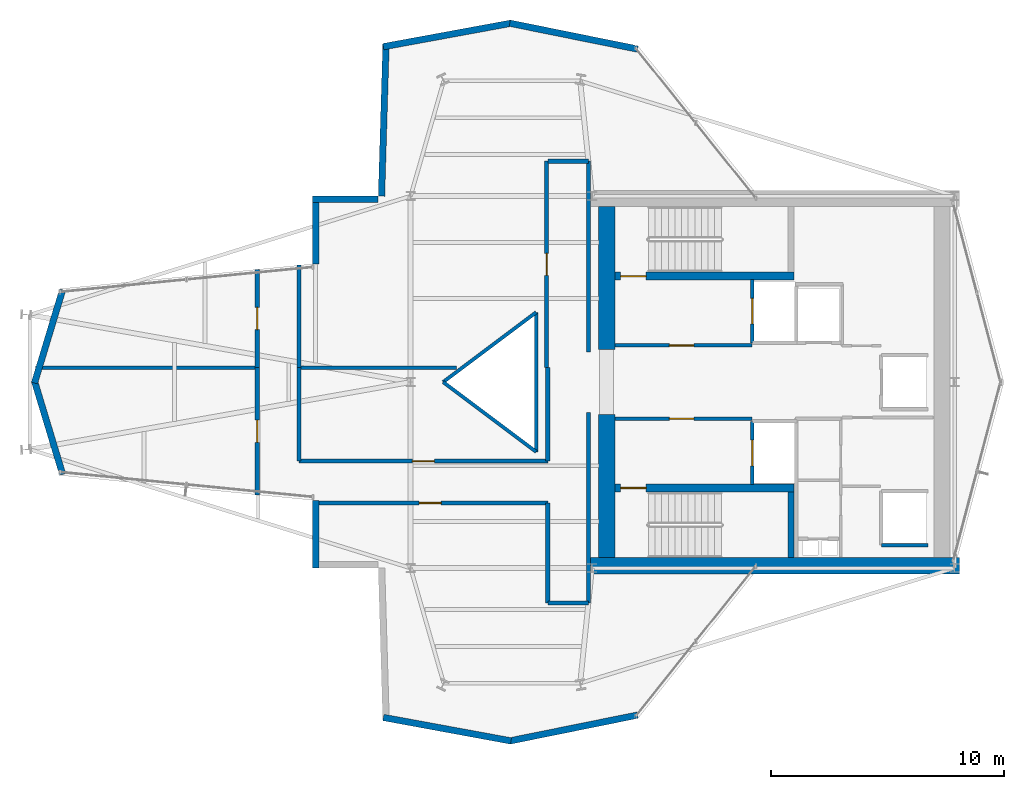
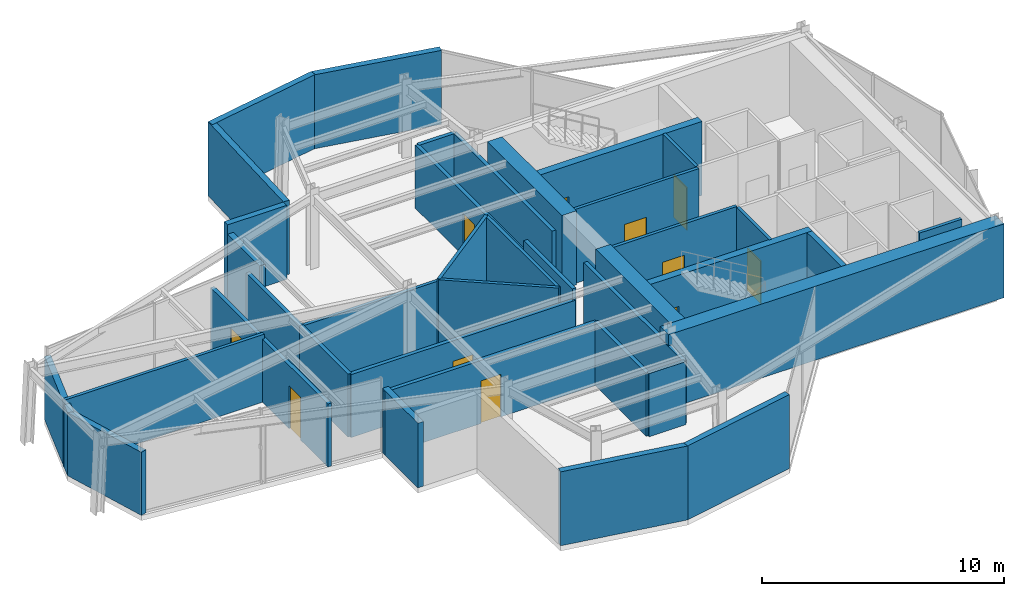
# One storey, part 21 of 23: 39 walls, 11 doors, 11 openings.
"""IFC4 building model written with IfcOpenShell, lengths in metres."""

from ifc_helpers import new_model, si_unit, direction, frame, frame_2d, origin, place, context, subcontext, project, spatial, rectangle, extrude, material, layer, layer_set, type_object, element, fill, save


model = new_model("IFC4")

# Units and contexts
model_context = context("Model", 3, precision=1e-05, world=origin(), true_north=direction((0.0, 1.0)))
body_context = subcontext(model_context, "Body", "Model", "MODEL_VIEW")
ifc_project = project(units=[si_unit("LENGTHUNIT", "METRE"), si_unit("AREAUNIT", "SQUARE_METRE"), si_unit("VOLUMEUNIT", "CUBIC_METRE"), si_unit("PLANEANGLEUNIT", "RADIAN"), si_unit("MASSUNIT", "GRAM", prefix="KILO")], contexts=[model_context])

# Site, building, storey
site_placement = place(None, origin())
site = spatial("IfcSite", under=ifc_project, at=site_placement, CompositionType="ELEMENT")
building_placement = place(site_placement, origin())
building = spatial("IfcBuilding", under=site, at=building_placement, Name="Veymaron Broadcast Tower", CompositionType="ELEMENT")
storey_placement = place(building_placement, frame((0.0, 0.0, 252.60009765625)))
storey = spatial("IfcBuildingStorey", under=building, at=storey_placement, Name="L59", CompositionType="ELEMENT", Elevation=252.60009765625)

# Walls
ifc_material_1 = material(Name="Precast concrete C40/50", Category="concrete")
ifc_layer_1 = layer(ifc_material_1, 0.280029296875)
ifc_layer_set_1 = layer_set([ifc_layer_1], Name="Precast concrete C40/50")
wall_type_1 = type_object("IfcWallType", Name="WALL-EXT-280", PredefinedType="STANDARD", material=ifc_layer_set_1)
wall_1_placement = place(storey_placement, frame((40.956298828125, 38.32470703125, 0.0), z_axis=(0.0, 0.0, 1.0), x_axis=(-0.980137399087, 0.198319638238, 0.0)))
element("IfcWall", 1, at=wall_1_placement, inside=storey, type_object=wall_type_1, Name="L59 notched corner facade pier 6-1", PredefinedType="STANDARD", context=body_context, shape_type="SweptSolid", body=[
    extrude(rectangle(XDim=5.6025390625, YDim=0.280029296875, at=frame_2d((2.80126953125, 0.0))), origin(), (0.0, 0.0, 1.0), 3.72998046875),
])
wall_2_placement = place(storey_placement, frame((35.518310546875, 39.435302734375, 0.0), z_axis=(0.0, 0.0, 1.0), x_axis=(-0.983500515457, -0.180905323571, 0.0)))
element("IfcWall", 2, at=wall_2_placement, inside=storey, type_object=wall_type_1, Name="L59 notched corner facade pier 7-1", PredefinedType="STANDARD", context=body_context, shape_type="SweptSolid", body=[
    extrude(rectangle(XDim=5.5830078125, YDim=0.280029296875, at=frame_2d((2.79150390625, 0.0))), origin(), (0.0, 0.0, 1.0), 3.72998046875),
])
wall_3_placement = place(storey_placement, frame((30.141845703125, 38.558837890625, 0.0), z_axis=(0.0, 0.0, 1.0), x_axis=(-0.029597919089, -0.999561885621, 0.0)))
element("IfcWall", 3, at=wall_3_placement, inside=storey, type_object=wall_type_1, Name="L59 notched corner facade pier 8-1", PredefinedType="STANDARD", context=body_context, shape_type="SweptSolid", body=[
    extrude(rectangle(XDim=6.56591796875, YDim=0.280029296875, at=frame_2d((3.282958984375, 0.0))), origin(), (0.0, 0.0, 1.0), 3.72998046875),
])
wall_4_placement = place(storey_placement, frame((29.8076171875, 31.860107421875, 0.0), z_axis=(0.0, 0.0, 1.0), x_axis=(-1.0, 0.0, 0.0)))
element("IfcWall", 4, at=wall_4_placement, inside=storey, type_object=wall_type_1, Name="L59 notched corner facade pier 9-1", PredefinedType="STANDARD", context=body_context, shape_type="SweptSolid", body=[
    extrude(rectangle(XDim=2.82373046875, YDim=0.280029296875, at=frame_2d((1.411865234375, 0.0))), origin(), (0.0, 0.0, 1.0), 3.72998046875),
])
wall_5_placement = place(storey_placement, frame((27.1240234375, 32.0, 0.0), z_axis=(0.0, 0.0, 1.0), x_axis=(0.0, -1.0, 0.0)))
element("IfcWall", 5, at=wall_5_placement, inside=storey, type_object=wall_type_1, Name="L59 notched corner facade pier 10-1", PredefinedType="STANDARD", context=body_context, shape_type="SweptSolid", body=[
    extrude(rectangle(XDim=2.9169921875, YDim=0.280029296875, at=frame_2d((1.45849609375, 0.0))), origin(), (0.0, 0.0, 1.0), 3.2587890625),
])
for number, where, z_axis, x_axis, name in (
    (6, (16.23388671875, 27.97216796875, 0.0), (0.0, 0.0, 1.0), (-0.28912141911, -0.957292434427, 0.0), "L59 notched corner facade pier 12-1"),
    (7, (15.02197265625, 24.04052734375, 0.0), (0.0, 0.0, 1.0), (0.28912141911, -0.957292434427, 0.0), "L59 notched corner facade pier 13-1"),
):
    element("IfcWall", number, at=place(storey_placement, frame(where, z_axis=z_axis, x_axis=x_axis)), inside=storey, type_object=wall_type_1, Name=name, PredefinedType="STANDARD", context=body_context, shape_type="SweptSolid", body=[
        extrude(rectangle(XDim=4.191650390625, YDim=0.280029296875, at=frame_2d((2.095703125, 0.0))), origin(), (0.0, 0.0, 1.0), 3.180908203125),
    ])
wall_6_placement = place(storey_placement, frame((27.1240234375, 18.9169921875, 0.0), z_axis=(0.0, 0.0, 1.0), x_axis=(0.0, -1.0, 0.0)))
element("IfcWall", 8, at=wall_6_placement, inside=storey, type_object=wall_type_1, Name="L59 notched corner facade pier 15-1", PredefinedType="STANDARD", context=body_context, shape_type="SweptSolid", body=[
    extrude(rectangle(XDim=2.9169921875, YDim=0.280029296875, at=frame_2d((1.45849609375, 0.0))), origin(), (0.0, 0.0, 1.0), 3.2587890625),
])
wall_7_placement = place(storey_placement, frame((30.02734375, 9.57470703125, 0.0), z_axis=(0.0, 0.0, 1.0), x_axis=(0.983500515457, -0.180905323571, 0.0)))
element("IfcWall", 9, at=wall_7_placement, inside=storey, type_object=wall_type_1, Name="L59 notched corner facade pier 18-1", PredefinedType="STANDARD", context=body_context, shape_type="SweptSolid", body=[
    extrude(rectangle(XDim=5.5830078125, YDim=0.280029296875, at=frame_2d((2.79150390625, 0.0))), origin(), (0.0, 0.0, 1.0), 3.72998046875),
])
wall_8_placement = place(storey_placement, frame((35.465087890625, 8.564208984375, 0.0), z_axis=(0.0, 0.0, 1.0), x_axis=(0.980137399087, 0.198319638238, 0.0)))
element("IfcWall", 10, at=wall_8_placement, inside=storey, type_object=wall_type_1, Name="L59 notched corner facade pier 19-1", PredefinedType="STANDARD", context=body_context, shape_type="SweptSolid", body=[
    extrude(rectangle(XDim=5.6025390625, YDim=0.280029296875, at=frame_2d((2.80126953125, 0.0))), origin(), (0.0, 0.0, 1.0), 3.72998046875),
])

# Wall, opening, door
ifc_material_2 = material(Name="Gypsum fireboard and steel stud framing", Category="steel")
ifc_layer_2 = layer(ifc_material_2, 0.14990234375)
ifc_layer_set_2 = layer_set([ifc_layer_2], Name="Gypsum fireboard and steel stud framing")
wall_type_2 = type_object("IfcWallType", Name="WALL-FIRE-150", PredefinedType="PARTITIONING", material=ifc_layer_set_2)
wall_9_placement = place(storey_placement, frame((39.97998046875, 25.574951171875, 0.0), z_axis=(0.0, 0.0, 1.0), x_axis=(1.0, 0.0, 0.0)))
wall_9 = element("IfcWall", 11, at=wall_9_placement, inside=storey, type_object=wall_type_2, Name="L59 partition IW-L59-FFLN-S", PredefinedType="PARTITIONING", context=body_context, shape_type="SweptSolid", body=[
    extrude(rectangle(XDim=5.89990234375, YDim=0.14990234375, at=frame_2d((2.949951171875, 0.0))), origin(), (0.0, 0.0, 1.0), 3.72998046875),
])
opening_1_placement = place(wall_9_placement, frame((2.35009765625, 0.0, 0.0)))
opening_1 = element("IfcOpeningElement", 12, at=opening_1_placement, cuts=wall_9, Name="Opening ID-FL1", PredefinedType="OPENING", context=body_context, shape_type="SweptSolid", body=[
    extrude(rectangle(XDim=1.050048828125, YDim=2.14990234375, at=frame_2d((0.52490234375, 1.074951171875))), frame((0.0, 0.0849609375, 0.0), z_axis=(0.0, -1.0, 0.0), x_axis=(1.0, 0.0, 0.0)), (0.0, 0.0, 1.0), 0.169921875),
])
ifc_material_3 = material(Name="Fire-rated painted hollow steel ASTM A653", Category="steel")
door_type_1 = type_object("IfcDoorType", Name="DOOR-FIRE-1050", OperationType="NOTDEFINED", PredefinedType="DOOR", material=ifc_material_3)
door_1_placement = place(opening_1_placement, origin())
door_1 = element("IfcDoor", 13, at=door_1_placement, inside=storey, type_object=door_type_1, Name="L59 door DR-L59-FFLN", OperationType="SINGLE_SWING_LEFT", OverallHeight=2.14990234375, OverallWidth=1.050048828125, PredefinedType="DOOR", context=body_context, shape_type="SweptSolid", body=[
    extrude(rectangle(XDim=1.050048828125, YDim=2.14990234375, at=frame_2d((0.52490234375, 1.074951171875))), frame((0.0, 0.02490234375, 0.0), z_axis=(0.0, -1.0, 0.0), x_axis=(1.0, 0.0, 0.0)), (0.0, 0.0, 1.0), 0.050048828125),
])
fill(opening_1, door_1)

wall_10_placement = place(storey_placement, frame((39.97998046875, 22.425048828125, 0.0), z_axis=(0.0, 0.0, 1.0), x_axis=(1.0, 0.0, 0.0)))
wall_10 = element("IfcWall", 14, at=wall_10_placement, inside=storey, type_object=wall_type_2, Name="L59 partition IW-L59-FFLS-N", PredefinedType="PARTITIONING", context=body_context, shape_type="SweptSolid", body=[
    extrude(rectangle(XDim=5.89990234375, YDim=0.14990234375, at=frame_2d((2.949951171875, 0.0))), origin(), (0.0, 0.0, 1.0), 3.72998046875),
])
opening_2_placement = place(wall_10_placement, frame((2.35009765625, 0.0, 0.0)))
opening_2 = element("IfcOpeningElement", 15, at=opening_2_placement, cuts=wall_10, Name="Opening ID-FL1", PredefinedType="OPENING", context=body_context, shape_type="SweptSolid", body=[
    extrude(rectangle(XDim=1.050048828125, YDim=2.14990234375, at=frame_2d((0.52490234375, 1.074951171875))), frame((0.0, 0.0849609375, 0.0), z_axis=(0.0, -1.0, 0.0), x_axis=(1.0, 0.0, 0.0)), (0.0, 0.0, 1.0), 0.169921875),
])
door_2_placement = place(opening_2_placement, frame((1.050048828125, 0.0, 0.0), z_axis=(0.0, 0.0, 1.0), x_axis=(-1.0, 0.0, 0.0)))
door_2 = element("IfcDoor", 16, at=door_2_placement, inside=storey, type_object=door_type_1, Name="L59 door DR-L59-FFLS", OperationType="SINGLE_SWING_RIGHT", OverallHeight=2.14990234375, OverallWidth=1.050048828125, PredefinedType="DOOR", context=body_context, shape_type="SweptSolid", body=[
    extrude(rectangle(XDim=1.050048828125, YDim=2.14990234375, at=frame_2d((0.52490234375, 1.074951171875))), frame((0.0, 0.02490234375, 0.0), z_axis=(0.0, -1.0, 0.0), x_axis=(1.0, 0.0, 0.0)), (0.0, 0.0, 1.0), 0.050048828125),
])
fill(opening_2, door_2)

wall_11_placement = place(storey_placement, frame((45.89501953125, 25.68994140625, 0.0), z_axis=(0.0, 0.0, 1.0), x_axis=(0.0, 1.0, 0.0)))
wall_11 = element("IfcWall", 17, at=wall_11_placement, inside=storey, type_object=wall_type_2, Name="L59 partition IW-L59-SHW-FFL-1", PredefinedType="PARTITIONING", context=body_context, shape_type="SweptSolid", body=[
    extrude(rectangle(XDim=2.719970703125, YDim=0.14990234375, at=frame_2d((1.35986328125, 0.0))), origin(), (0.0, 0.0, 1.0), 3.72998046875),
])
opening_3_placement = place(wall_11_placement, frame((0.81005859375, 0.0, 0.0)))
opening_3 = element("IfcOpeningElement", 18, at=opening_3_placement, cuts=wall_11, Name="Opening LD", PredefinedType="OPENING", context=body_context, shape_type="SweptSolid", body=[
    extrude(rectangle(XDim=1.10009765625, YDim=2.14990234375, at=frame_2d((0.550048828125, 1.074951171875))), frame((0.0, 0.0849609375, 0.0), z_axis=(0.0, -1.0, 0.0), x_axis=(1.0, 0.0, 0.0)), (0.0, 0.0, 1.0), 0.169921875),
])
ifc_material_4 = material(Name="Brushed stainless steel AISI 304", Category="steel")
door_type_2 = type_object("IfcDoorType", Name="DOOR-LIFT-1100", OperationType="DOUBLE_DOOR_SLIDING", PredefinedType="DOOR", material=ifc_material_4)
door_3_placement = place(opening_3_placement, frame((1.10009765625, 0.0, 0.0), z_axis=(0.0, 0.0, 1.0), x_axis=(-1.0, 0.0, 0.0)))
door_3 = element("IfcDoor", 19, at=door_3_placement, inside=storey, type_object=door_type_2, Name="L59 door LD-L59-FFL-1", OperationType="DOUBLE_DOOR_SLIDING", OverallHeight=2.14990234375, OverallWidth=1.10009765625, PredefinedType="DOOR", context=body_context, shape_type="SweptSolid", body=[
    extrude(rectangle(XDim=1.10009765625, YDim=2.14990234375, at=frame_2d((0.550048828125, 1.074951171875))), frame((0.0, 0.02490234375, 0.0), z_axis=(0.0, -1.0, 0.0), x_axis=(1.0, 0.0, 0.0)), (0.0, 0.0, 1.0), 0.050048828125),
])
fill(opening_3, door_3)

wall_12_placement = place(storey_placement, frame((45.89501953125, 19.590087890625, 0.0), z_axis=(0.0, 0.0, 1.0), x_axis=(0.0, 1.0, 0.0)))
wall_12 = element("IfcWall", 20, at=wall_12_placement, inside=storey, type_object=wall_type_2, Name="L59 partition IW-L59-SHW-FFL-2", PredefinedType="PARTITIONING", context=body_context, shape_type="SweptSolid", body=[
    extrude(rectangle(XDim=2.719970703125, YDim=0.14990234375, at=frame_2d((1.35986328125, 0.0))), origin(), (0.0, 0.0, 1.0), 3.72998046875),
])
opening_4_placement = place(wall_12_placement, frame((0.81005859375, 0.0, 0.0)))
opening_4 = element("IfcOpeningElement", 21, at=opening_4_placement, cuts=wall_12, Name="Opening LD", PredefinedType="OPENING", context=body_context, shape_type="SweptSolid", body=[
    extrude(rectangle(XDim=1.10009765625, YDim=2.14990234375, at=frame_2d((0.550048828125, 1.074951171875))), frame((0.0, 0.0849609375, 0.0), z_axis=(0.0, -1.0, 0.0), x_axis=(1.0, 0.0, 0.0)), (0.0, 0.0, 1.0), 0.169921875),
])
door_4_placement = place(opening_4_placement, frame((1.10009765625, 0.0, 0.0), z_axis=(0.0, 0.0, 1.0), x_axis=(-1.0, 0.0, 0.0)))
door_4 = element("IfcDoor", 22, at=door_4_placement, inside=storey, type_object=door_type_2, Name="L59 door LD-L59-FFL-2", OperationType="DOUBLE_DOOR_SLIDING", OverallHeight=2.14990234375, OverallWidth=1.10009765625, PredefinedType="DOOR", context=body_context, shape_type="SweptSolid", body=[
    extrude(rectangle(XDim=1.10009765625, YDim=2.14990234375, at=frame_2d((0.550048828125, 1.074951171875))), frame((0.0, 0.02490234375, 0.0), z_axis=(0.0, -1.0, 0.0), x_axis=(1.0, 0.0, 0.0)), (0.0, 0.0, 1.0), 0.050048828125),
])
fill(opening_4, door_4)

# Wall
wall_13_placement = place(storey_placement, frame((51.445068359375, 16.989990234375, 0.0), z_axis=(0.0, 0.0, 1.0), x_axis=(1.0, 0.0, 0.0)))
element("IfcWall", 23, at=wall_13_placement, inside=storey, type_object=wall_type_2, Name="L59 partition IW-L59-SHS-PH1", PredefinedType="PARTITIONING", context=body_context, shape_type="SweptSolid", body=[
    extrude(rectangle(XDim=2.014892578125, YDim=0.14990234375, at=frame_2d((1.00732421875, 0.0))), origin(), (0.0, 0.0, 1.0), 3.72998046875),
])

# Wall, opening, door
ifc_material_5 = material(Name="Concrete C40/50", Category="concrete")
ifc_layer_3 = layer(ifc_material_5, 0.179931640625)
ifc_layer_set_3 = layer_set([ifc_layer_3], Name="Concrete C40/50")
wall_type_3 = type_object("IfcWallType", Name="WALL-FIRE-180", PredefinedType="SOLIDWALL", material=ifc_layer_set_3)
wall_14_placement = place(storey_placement, frame((26.98388671875, 18.800048828125, 0.0), z_axis=(0.0, 0.0, 1.0), x_axis=(1.0, 0.0, 0.0)))
wall_14 = element("IfcWall", 24, at=wall_14_placement, inside=storey, type_object=wall_type_3, Name="L59 partition IW-L59-P01", PredefinedType="SOLIDWALL", context=body_context, shape_type="SweptSolid", body=[
    extrude(rectangle(XDim=10.1162109375, YDim=0.179931640625, at=frame_2d((5.05810546875, 0.0))), origin(), (0.0, 0.0, 1.0), 3.180908203125),
])
opening_5_placement = place(wall_14_placement, frame((4.5830078125, 0.0, 0.0)))
opening_5 = element("IfcOpeningElement", 25, at=opening_5_placement, cuts=wall_14, Name="Opening ID-RM1", PredefinedType="OPENING", context=body_context, shape_type="SweptSolid", body=[
    extrude(rectangle(XDim=0.949951171875, YDim=2.14990234375, at=frame_2d((0.47509765625, 1.074951171875))), frame((0.0, 0.10009765625, 0.0), z_axis=(0.0, -1.0, 0.0), x_axis=(1.0, 0.0, 0.0)), (0.0, 0.0, 1.0), 0.199951171875),
])
ifc_material_6 = material(Name="Acoustic solid-core European oak veneer timber", Category="wood")
door_type_3 = type_object("IfcDoorType", Name="DOOR-INT-950", OperationType="NOTDEFINED", PredefinedType="DOOR", material=ifc_material_6)
door_5_placement = place(opening_5_placement, frame((0.949951171875, 0.0, 0.0), z_axis=(0.0, 0.0, 1.0), x_axis=(-1.0, 0.0, 0.0)))
door_5 = element("IfcDoor", 26, at=door_5_placement, inside=storey, type_object=door_type_3, Name="L59 door DR-L59-P01", OperationType="SINGLE_SWING_RIGHT", OverallHeight=2.14990234375, OverallWidth=0.949951171875, PredefinedType="DOOR", context=body_context, shape_type="SweptSolid", body=[
    extrude(rectangle(XDim=0.949951171875, YDim=2.14990234375, at=frame_2d((0.47509765625, 1.074951171875))), frame((0.0, 0.02490234375, 0.0), z_axis=(0.0, -1.0, 0.0), x_axis=(1.0, 0.0, 0.0)), (0.0, 0.0, 1.0), 0.050048828125),
])
fill(opening_5, door_5)

wall_15_placement = place(storey_placement, frame((24.60009765625, 19.1513671875, 0.0), z_axis=(0.0, 0.0, 1.0), x_axis=(0.0, 1.0, 0.0)))
wall_15 = element("IfcWall", 27, at=wall_15_placement, inside=storey, type_object=wall_type_3, Name="L59 partition IW-L59-P05", PredefinedType="SOLIDWALL", context=body_context, shape_type="SweptSolid", body=[
    extrude(rectangle(XDim=5.4716796875, YDim=0.179931640625, at=frame_2d((2.73583984375, 0.0))), origin(), (0.0, 0.0, 1.0), 3.180908203125),
])
opening_6_placement = place(wall_15_placement, frame((2.2607421875, 0.0, 0.0)))
opening_6 = element("IfcOpeningElement", 28, at=opening_6_placement, cuts=wall_15, Name="Opening ID-RM1", PredefinedType="OPENING", context=body_context, shape_type="SweptSolid", body=[
    extrude(rectangle(XDim=0.949951171875, YDim=2.14990234375, at=frame_2d((0.47509765625, 1.074951171875))), frame((0.0, 0.10009765625, 0.0), z_axis=(0.0, -1.0, 0.0), x_axis=(1.0, 0.0, 0.0)), (0.0, 0.0, 1.0), 0.199951171875),
])
door_6_placement = place(opening_6_placement, origin())
door_6 = element("IfcDoor", 29, at=door_6_placement, inside=storey, type_object=door_type_3, Name="L59 door DR-L59-P05", OperationType="SINGLE_SWING_RIGHT", OverallHeight=2.14990234375, OverallWidth=0.949951171875, PredefinedType="DOOR", context=body_context, shape_type="SweptSolid", body=[
    extrude(rectangle(XDim=0.949951171875, YDim=2.14990234375, at=frame_2d((0.47509765625, 1.074951171875))), frame((0.0, 0.02490234375, 0.0), z_axis=(0.0, -1.0, 0.0), x_axis=(1.0, 0.0, 0.0)), (0.0, 0.0, 1.0), 0.050048828125),
])
fill(opening_6, door_6)

wall_16_placement = place(storey_placement, frame((26.39990234375, 20.60009765625, 0.0), z_axis=(0.0, 0.0, 1.0), x_axis=(1.0, 0.0, 0.0)))
wall_16 = element("IfcWall", 30, at=wall_16_placement, inside=storey, type_object=wall_type_3, Name="L59 partition IW-L59-P06", PredefinedType="SOLIDWALL", context=body_context, shape_type="SweptSolid", body=[
    extrude(rectangle(XDim=10.7001953125, YDim=0.179931640625, at=frame_2d((5.35009765625, 0.0))), origin(), (0.0, 0.0, 1.0), 3.180908203125),
])
opening_7_placement = place(wall_16_placement, frame((4.875, 0.0, 0.0)))
opening_7 = element("IfcOpeningElement", 31, at=opening_7_placement, cuts=wall_16, Name="Opening ID-RM1", PredefinedType="OPENING", context=body_context, shape_type="SweptSolid", body=[
    extrude(rectangle(XDim=0.949951171875, YDim=2.14990234375, at=frame_2d((0.47509765625, 1.074951171875))), frame((0.0, 0.10009765625, 0.0), z_axis=(0.0, -1.0, 0.0), x_axis=(1.0, 0.0, 0.0)), (0.0, 0.0, 1.0), 0.199951171875),
])
door_7_placement = place(opening_7_placement, origin())
door_7 = element("IfcDoor", 32, at=door_7_placement, inside=storey, type_object=door_type_3, Name="L59 door DR-L59-P06", OperationType="SINGLE_SWING_LEFT", OverallHeight=2.14990234375, OverallWidth=0.949951171875, PredefinedType="DOOR", context=body_context, shape_type="SweptSolid", body=[
    extrude(rectangle(XDim=0.949951171875, YDim=2.14990234375, at=frame_2d((0.47509765625, 1.074951171875))), frame((0.0, 0.02490234375, 0.0), z_axis=(0.0, -1.0, 0.0), x_axis=(1.0, 0.0, 0.0)), (0.0, 0.0, 1.0), 0.050048828125),
])
fill(opening_7, door_7)

wall_17_placement = place(storey_placement, frame((24.60009765625, 24.623046875, 0.0), z_axis=(0.0, 0.0, 1.0), x_axis=(0.0, 1.0, 0.0)))
wall_17 = element("IfcWall", 33, at=wall_17_placement, inside=storey, type_object=wall_type_3, Name="L59 partition IW-L59-P09", PredefinedType="SOLIDWALL", context=body_context, shape_type="SweptSolid", body=[
    extrude(rectangle(XDim=4.2255859375, YDim=0.179931640625, at=frame_2d((2.11279296875, 0.0))), origin(), (0.0, 0.0, 1.0), 3.180908203125),
])
opening_8_placement = place(wall_17_placement, frame((1.6376953125, 0.0, 0.0)))
opening_8 = element("IfcOpeningElement", 34, at=opening_8_placement, cuts=wall_17, Name="Opening ID-RM1", PredefinedType="OPENING", context=body_context, shape_type="SweptSolid", body=[
    extrude(rectangle(XDim=0.949951171875, YDim=2.14990234375, at=frame_2d((0.47509765625, 1.074951171875))), frame((0.0, 0.10009765625, 0.0), z_axis=(0.0, -1.0, 0.0), x_axis=(1.0, 0.0, 0.0)), (0.0, 0.0, 1.0), 0.199951171875),
])
door_8_placement = place(opening_8_placement, origin())
door_8 = element("IfcDoor", 35, at=door_8_placement, inside=storey, type_object=door_type_3, Name="L59 door DR-L59-P09", OperationType="SINGLE_SWING_RIGHT", OverallHeight=2.14990234375, OverallWidth=0.949951171875, PredefinedType="DOOR", context=body_context, shape_type="SweptSolid", body=[
    extrude(rectangle(XDim=0.949951171875, YDim=2.14990234375, at=frame_2d((0.47509765625, 1.074951171875))), frame((0.0, 0.02490234375, 0.0), z_axis=(0.0, -1.0, 0.0), x_axis=(1.0, 0.0, 0.0)), (0.0, 0.0, 1.0), 0.050048828125),
])
fill(opening_8, door_8)

wall_18_placement = place(storey_placement, frame((37.050048828125, 24.623046875, 0.0), z_axis=(0.0, 0.0, 1.0), x_axis=(0.0, 1.0, 0.0)))
wall_18 = element("IfcWall", 36, at=wall_18_placement, inside=storey, type_object=wall_type_3, Name="L59 partition IW-L59-P10", PredefinedType="SOLIDWALL", context=body_context, shape_type="SweptSolid", body=[
    extrude(rectangle(XDim=8.876953125, YDim=0.179931640625, at=frame_2d((4.4384765625, 0.0))), origin(), (0.0, 0.0, 1.0), 3.180908203125),
])
opening_9_placement = place(wall_18_placement, frame((3.96337890625, 0.0, 0.0)))
opening_9 = element("IfcOpeningElement", 37, at=opening_9_placement, cuts=wall_18, Name="Opening ID-RM1", PredefinedType="OPENING", context=body_context, shape_type="SweptSolid", body=[
    extrude(rectangle(XDim=0.949951171875, YDim=2.14990234375, at=frame_2d((0.47509765625, 1.074951171875))), frame((0.0, 0.10009765625, 0.0), z_axis=(0.0, -1.0, 0.0), x_axis=(1.0, 0.0, 0.0)), (0.0, 0.0, 1.0), 0.199951171875),
])
door_9_placement = place(opening_9_placement, origin())
door_9 = element("IfcDoor", 38, at=door_9_placement, inside=storey, type_object=door_type_3, Name="L59 door DR-L59-P10", OperationType="SINGLE_SWING_LEFT", OverallHeight=2.14990234375, OverallWidth=0.949951171875, PredefinedType="DOOR", context=body_context, shape_type="SweptSolid", body=[
    extrude(rectangle(XDim=0.949951171875, YDim=2.14990234375, at=frame_2d((0.47509765625, 1.074951171875))), frame((0.0, 0.02490234375, 0.0), z_axis=(0.0, -1.0, 0.0), x_axis=(1.0, 0.0, 0.0)), (0.0, 0.0, 1.0), 0.050048828125),
])
fill(opening_9, door_9)

# Walls
wall_19_placement = place(storey_placement, frame((38.85009765625, 14.5, 0.0), z_axis=(0.0, 0.0, 1.0), x_axis=(0.0, 1.0, 0.0)))
element("IfcWall", 39, at=wall_19_placement, inside=storey, type_object=wall_type_3, Name="L59 partition IW-L59-P02", PredefinedType="SOLIDWALL", context=body_context, shape_type="SweptSolid", body=[
    extrude(rectangle(XDim=8.199951171875, YDim=0.179931640625, at=frame_2d((4.10009765625, 0.0))), origin(), (0.0, 0.0, 1.0), 3.180908203125),
])
wall_20_placement = place(storey_placement, frame((37.10009765625, 14.5, 0.0), z_axis=(0.0, 0.0, 1.0), x_axis=(0.0, 1.0, 0.0)))
element("IfcWall", 40, at=wall_20_placement, inside=storey, type_object=wall_type_3, Name="L59 partition IW-L59-P03", PredefinedType="SOLIDWALL", context=body_context, shape_type="SweptSolid", body=[
    extrude(rectangle(XDim=4.300048828125, YDim=0.179931640625, at=frame_2d((2.14990234375, 0.0))), origin(), (0.0, 0.0, 1.0), 3.180908203125),
])
wall_21_placement = place(storey_placement, frame((37.10009765625, 14.5, 0.0), z_axis=(0.0, 0.0, 1.0), x_axis=(1.0, 0.0, 0.0)))
element("IfcWall", 41, at=wall_21_placement, inside=storey, type_object=wall_type_3, Name="L59 partition IW-L59-P04", PredefinedType="SOLIDWALL", context=body_context, shape_type="SweptSolid", body=[
    extrude(rectangle(XDim=1.75, YDim=0.179931640625, at=frame_2d((0.875, 0.0))), origin(), (0.0, 0.0, 1.0), 3.180908203125),
])
wall_22_placement = place(storey_placement, frame((26.39990234375, 20.60009765625, 0.0), z_axis=(0.0, 0.0, 1.0), x_axis=(0.0, 1.0, 0.0)))
element("IfcWall", 42, at=wall_22_placement, inside=storey, type_object=wall_type_3, Name="L59 partition IW-L59-P07", PredefinedType="SOLIDWALL", context=body_context, shape_type="SweptSolid", body=[
    extrude(rectangle(XDim=4.02294921875, YDim=0.179931640625, at=frame_2d((2.011474609375, 0.0))), origin(), (0.0, 0.0, 1.0), 3.180908203125),
])
wall_23_placement = place(storey_placement, frame((37.10009765625, 20.60009765625, 0.0), z_axis=(0.0, 0.0, 1.0), x_axis=(0.0, 1.0, 0.0)))
element("IfcWall", 43, at=wall_23_placement, inside=storey, type_object=wall_type_3, Name="L59 partition IW-L59-P08", PredefinedType="SOLIDWALL", context=body_context, shape_type="SweptSolid", body=[
    extrude(rectangle(XDim=4.02294921875, YDim=0.179931640625, at=frame_2d((2.011474609375, 0.0))), origin(), (0.0, 0.0, 1.0), 3.72998046875),
])
wall_24_placement = place(storey_placement, frame((38.85009765625, 25.300048828125, 0.0), z_axis=(0.0, 0.0, 1.0), x_axis=(0.0, 1.0, 0.0)))
element("IfcWall", 44, at=wall_24_placement, inside=storey, type_object=wall_type_3, Name="L59 partition IW-L59-P11", PredefinedType="SOLIDWALL", context=body_context, shape_type="SweptSolid", body=[
    extrude(rectangle(XDim=8.199951171875, YDim=0.179931640625, at=frame_2d((4.10009765625, 0.0))), origin(), (0.0, 0.0, 1.0), 3.180908203125),
])
wall_25_placement = place(storey_placement, frame((26.39990234375, 24.623046875, 0.0), z_axis=(0.0, 0.0, 1.0), x_axis=(0.0, 1.0, 0.0)))
element("IfcWall", 45, at=wall_25_placement, inside=storey, type_object=wall_type_3, Name="L59 partition IW-L59-P12", PredefinedType="SOLIDWALL", context=body_context, shape_type="SweptSolid", body=[
    extrude(rectangle(XDim=4.402587890625, YDim=0.179931640625, at=frame_2d((2.201171875, 0.0))), origin(), (0.0, 0.0, 1.0), 3.180908203125),
])
wall_26_placement = place(storey_placement, frame((37.10009765625, 33.5, 0.0), z_axis=(0.0, 0.0, 1.0), x_axis=(1.0, 0.0, 0.0)))
element("IfcWall", 46, at=wall_26_placement, inside=storey, type_object=wall_type_3, Name="L59 partition IW-L59-P13", PredefinedType="SOLIDWALL", context=body_context, shape_type="SweptSolid", body=[
    extrude(rectangle(XDim=1.75, YDim=0.179931640625, at=frame_2d((0.875, 0.0))), origin(), (0.0, 0.0, 1.0), 3.180908203125),
])
ifc_material_7 = material(Name="Fire-rated laminated glass in aluminium frame", Category="aluminium")
ifc_layer_4 = layer(ifc_material_7, 0.14990234375)
ifc_layer_set_4 = layer_set([ifc_layer_4], Name="Fire-rated laminated glass in aluminium frame")
wall_type_4 = type_object("IfcWallType", Name="WALL-GLZ-150", PredefinedType="MOVABLE", material=ifc_layer_set_4)
wall_27_placement = place(storey_placement, frame((15.076171875, 24.623046875, 0.0), z_axis=(0.0, 0.0, 1.0), x_axis=(1.0, 0.0, 0.0)))
element("IfcWall", 47, at=wall_27_placement, inside=storey, type_object=wall_type_4, Name="L59 partition IW-L59-P14", PredefinedType="MOVABLE", context=body_context, shape_type="SweptSolid", body=[
    extrude(rectangle(XDim=9.52392578125, YDim=0.14990234375, at=frame_2d((4.761962890625, 0.0))), origin(), (0.0, 0.0, 1.0), 3.407958984375),
])
wall_28_placement = place(storey_placement, frame((26.39990234375, 24.623046875, 0.0), z_axis=(0.0, 0.0, 1.0), x_axis=(1.0, 0.0, 0.0)))
element("IfcWall", 48, at=wall_28_placement, inside=storey, type_object=wall_type_4, Name="L59 partition IW-L59-P15", PredefinedType="MOVABLE", context=body_context, shape_type="SweptSolid", body=[
    extrude(rectangle(XDim=6.78076171875, YDim=0.14990234375, at=frame_2d((3.390380859375, 0.0))), origin(), (0.0, 0.0, 1.0), 3.180908203125),
])
wall_29_placement = place(storey_placement, frame((32.60009765625, 24.0, 0.0), z_axis=(0.0, 0.0, 1.0), x_axis=(0.8, -0.6, 0.0)))
element("IfcWall", 49, at=wall_29_placement, inside=storey, type_object=wall_type_4, Name="L59 partition IW-L59-ATR1", PredefinedType="MOVABLE", context=body_context, shape_type="SweptSolid", body=[
    extrude(rectangle(XDim=5.0, YDim=0.14990234375, at=frame_2d((2.5, 0.0))), origin(), (0.0, 0.0, 1.0), 3.72998046875),
])
wall_30_placement = place(storey_placement, frame((36.60009765625, 21.0, 0.0), z_axis=(0.0, 0.0, 1.0), x_axis=(0.0, 1.0, 0.0)))
element("IfcWall", 50, at=wall_30_placement, inside=storey, type_object=wall_type_4, Name="L59 partition IW-L59-ATR2", PredefinedType="MOVABLE", context=body_context, shape_type="SweptSolid", body=[
    extrude(rectangle(XDim=6.0, YDim=0.14990234375, at=frame_2d((3.0, 0.0))), origin(), (0.0, 0.0, 1.0), 3.72998046875),
])
wall_31_placement = place(storey_placement, frame((36.60009765625, 27.0, 0.0), z_axis=(0.0, 0.0, 1.0), x_axis=(-0.8, -0.6, 0.0)))
element("IfcWall", 51, at=wall_31_placement, inside=storey, type_object=wall_type_4, Name="L59 partition IW-L59-ATR3", PredefinedType="MOVABLE", context=body_context, shape_type="SweptSolid", body=[
    extrude(rectangle(XDim=5.0, YDim=0.14990234375, at=frame_2d((2.5, 0.0))), origin(), (0.0, 0.0, 1.0), 3.72998046875),
])
ifc_material_8 = material(Name="Concrete C50/60", Category="concrete")
ifc_layer_5 = layer(ifc_material_8, 0.25)
ifc_layer_set_5 = layer_set([ifc_layer_5], Name="Concrete C50/60")
wall_type_5 = type_object("IfcWallType", Name="WALL-SHEAR-250", PredefinedType="SHEAR", material=ifc_layer_set_5)
wall_32_placement = place(storey_placement, frame((47.56494140625, 16.449951171875, 0.0), z_axis=(0.0, 0.0, 1.0), x_axis=(0.0, 1.0, 0.0)))
element("IfcWall", 52, at=wall_32_placement, inside=storey, type_object=wall_type_5, Name="L59 Core Wall south stair east shear", PredefinedType="SHEAR", context=body_context, shape_type="SweptSolid", body=[
    extrude(rectangle(XDim=2.820068359375, YDim=0.25, at=frame_2d((1.41015625, 0.0))), origin(), (0.0, 0.0, 1.0), 3.72998046875),
])

# Wall, opening, door
ifc_layer_6 = layer(ifc_material_8, 0.35009765625)
ifc_layer_set_6 = layer_set([ifc_layer_6], Name="Concrete C50/60")
wall_type_6 = type_object("IfcWallType", Name="WALL-SHEAR-350", PredefinedType="SHEAR", material=ifc_layer_set_6)
wall_33_placement = place(storey_placement, frame((39.97998046875, 28.554931640625, 0.0), z_axis=(0.0, 0.0, 1.0), x_axis=(1.0, 0.0, 0.0)))
wall_33 = element("IfcWall", 53, at=wall_33_placement, inside=storey, type_object=wall_type_6, Name="L59 Core Wall north stair spine", PredefinedType="SHEAR", context=body_context, shape_type="SweptSolid", body=[
    extrude(rectangle(XDim=7.7099609375, YDim=0.35009765625, at=frame_2d((3.85498046875, 0.0))), origin(), (0.0, 0.0, 1.0), 3.72998046875),
])
opening_10_placement = place(wall_33_placement, frame((0.25, 0.0, 0.0)))
opening_10 = element("IfcOpeningElement", 54, at=opening_10_placement, cuts=wall_33, Name="Opening ID-ST1", PredefinedType="OPENING", context=body_context, shape_type="SweptSolid", body=[
    extrude(rectangle(XDim=1.10009765625, YDim=2.14990234375, at=frame_2d((0.550048828125, 1.074951171875))), frame((0.0, 0.18505859375, 0.0), z_axis=(0.0, -1.0, 0.0), x_axis=(1.0, 0.0, 0.0)), (0.0, 0.0, 1.0), 0.3701171875),
])
door_type_4 = type_object("IfcDoorType", Name="DOOR-STAIR-1100", OperationType="NOTDEFINED", PredefinedType="DOOR", material=ifc_material_3)
door_10_placement = place(opening_10_placement, origin())
door_10 = element("IfcDoor", 55, at=door_10_placement, inside=storey, type_object=door_type_4, Name="L59 exit stair ST1 fire door", OperationType="SINGLE_SWING_RIGHT", OverallHeight=2.14990234375, OverallWidth=1.10009765625, PredefinedType="DOOR", context=body_context, shape_type="SweptSolid", body=[
    extrude(rectangle(XDim=1.10009765625, YDim=2.14990234375, at=frame_2d((0.550048828125, 1.074951171875))), frame((0.0, 0.02490234375, 0.0), z_axis=(0.0, -1.0, 0.0), x_axis=(1.0, 0.0, 0.0)), (0.0, 0.0, 1.0), 0.050048828125),
])
fill(opening_10, door_10)

wall_34_placement = place(storey_placement, frame((39.97998046875, 19.445068359375, 0.0), z_axis=(0.0, 0.0, 1.0), x_axis=(1.0, 0.0, 0.0)))
wall_34 = element("IfcWall", 56, at=wall_34_placement, inside=storey, type_object=wall_type_6, Name="L59 Core Wall south stair spine", PredefinedType="SHEAR", context=body_context, shape_type="SweptSolid", body=[
    extrude(rectangle(XDim=7.7099609375, YDim=0.35009765625, at=frame_2d((3.85498046875, 0.0))), origin(), (0.0, 0.0, 1.0), 3.72998046875),
])
opening_11_placement = place(wall_34_placement, frame((0.25, 0.0, 0.0)))
opening_11 = element("IfcOpeningElement", 57, at=opening_11_placement, cuts=wall_34, Name="Opening ID-ST1", PredefinedType="OPENING", context=body_context, shape_type="SweptSolid", body=[
    extrude(rectangle(XDim=1.10009765625, YDim=2.14990234375, at=frame_2d((0.550048828125, 1.074951171875))), frame((0.0, 0.18505859375, 0.0), z_axis=(0.0, -1.0, 0.0), x_axis=(1.0, 0.0, 0.0)), (0.0, 0.0, 1.0), 0.3701171875),
])
door_11_placement = place(opening_11_placement, frame((1.10009765625, 0.0, 0.0), z_axis=(0.0, 0.0, 1.0), x_axis=(-1.0, 0.0, 0.0)))
door_11 = element("IfcDoor", 58, at=door_11_placement, inside=storey, type_object=door_type_4, Name="L59 exit stair ST2 fire door", OperationType="SINGLE_SWING_LEFT", OverallHeight=2.14990234375, OverallWidth=1.10009765625, PredefinedType="DOOR", context=body_context, shape_type="SweptSolid", body=[
    extrude(rectangle(XDim=1.10009765625, YDim=2.14990234375, at=frame_2d((0.550048828125, 1.074951171875))), frame((0.0, 0.02490234375, 0.0), z_axis=(0.0, -1.0, 0.0), x_axis=(1.0, 0.0, 0.0)), (0.0, 0.0, 1.0), 0.050048828125),
])
fill(opening_11, door_11)

# Walls
ifc_material_9 = material(Name="Concrete C60/75", Category="concrete")
ifc_layer_7 = layer(ifc_material_9, 0.699951171875)
ifc_layer_set_7 = layer_set([ifc_layer_7], Name="Concrete C60/75")
wall_type_7 = type_object("IfcWallType", Name="WALL-SHEAR-700", PredefinedType="SHEAR", material=ifc_layer_set_7)
wall_35_placement = place(storey_placement, frame((38.800048828125, 16.10009765625, 0.0), z_axis=(0.0, 0.0, 1.0), x_axis=(1.0, 0.0, 0.0)))
element("IfcWall", 59, at=wall_35_placement, inside=storey, type_object=wall_type_7, Name="L59 Core Wall south shear", PredefinedType="SHEAR", context=body_context, shape_type="SweptSolid", body=[
    extrude(rectangle(XDim=16.0, YDim=0.699951171875, at=frame_2d((8.0, 0.0))), origin(), (0.0, 0.0, 1.0), 3.72998046875),
])
for number, where, z_axis, x_axis, name in (
    (60, (39.6298828125, 16.449951171875, 0.0), (0.0, 0.0, 1.0), (0.0, 1.0, 0.0), "L59 Core Wall west-south shear"),
    (61, (39.6298828125, 25.39990234375, 0.0), (0.0, 0.0, 1.0), (0.0, 1.0, 0.0), "L59 Core Wall west-north shear"),
):
    element("IfcWall", number, at=place(storey_placement, frame(where, z_axis=z_axis, x_axis=x_axis)), inside=storey, type_object=wall_type_7, Name=name, PredefinedType="SHEAR", context=body_context, shape_type="SweptSolid", body=[
        extrude(rectangle(XDim=6.150146484375, YDim=0.699951171875, at=frame_2d((3.0751953125, 0.0))), origin(), (0.0, 0.0, 1.0), 3.72998046875),
    ])

save(model, "model.ifc")
